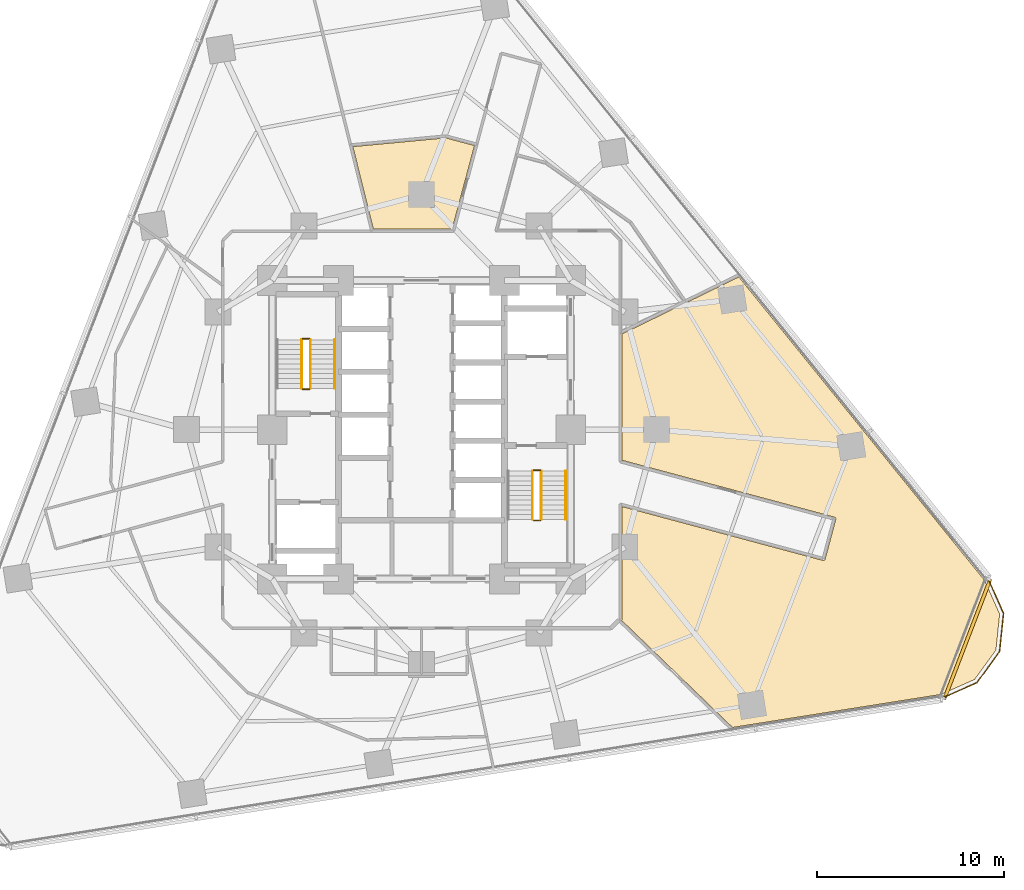
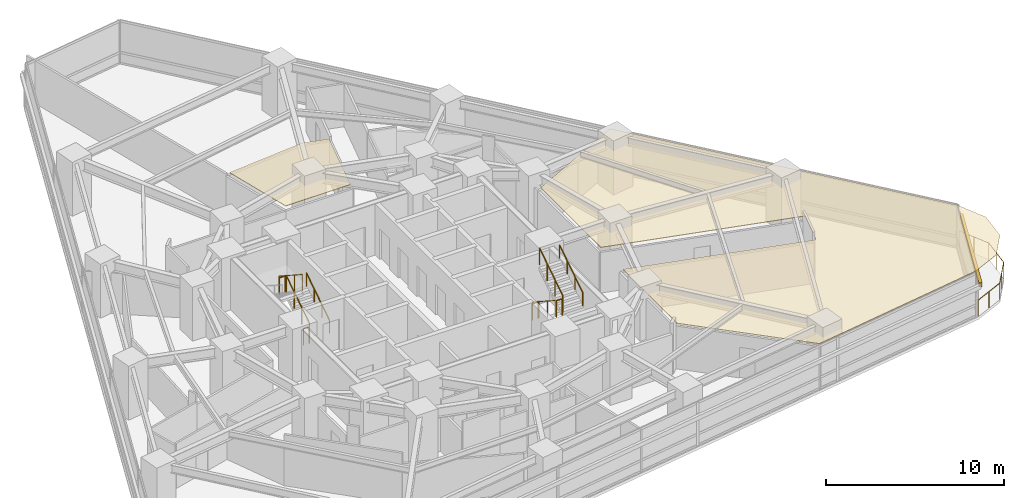
# One storey, part 13 of 14: 11 railings, 2 coverings, 1 shading device.
"""IFC4 building model written with IfcOpenShell, lengths in metres."""

import ifcopenshell
import ifcopenshell.guid

model = None  # the IFC model being written
_history = None  # IfcOwnerHistory: only IFC2X3 demands one
_inside = {}  # id of a spatial element -> (the spatial element, [elements in it])
_under = {}  # id of a project, library or spatial element -> (it, [spatial elements below it])
_declared = {}  # id of a project -> (the project, [libraries it declares])
_typed = {}  # id of a type object -> (the type object, [elements of that type])
_made_of = {}  # id of a material, layer set ... -> (it, [elements and type objects made of it])


def new_model(schema):
    """Start an empty IFC model of exactly this schema.

    Asked for "IFC4X3", IfcOpenShell would pick the latest addendum, in which some entities
    have other attributes; the version numbers below select the first issue.
    IFC2X3 requires an IfcOwnerHistory on every rooted entity: one is made here for all.
    """
    global model, _history
    if schema == "IFC4X3":
        model = ifcopenshell.file(schema_version=(4, 3, 0, 0))
    else:
        model = ifcopenshell.file(schema=schema)
    _inside.clear()
    _under.clear()
    _declared.clear()
    _typed.clear()
    _made_of.clear()
    _history = None
    if model.schema == "IFC2X3":
        org = make("IfcOrganization", Name="unknown")
        user = make(
            "IfcPersonAndOrganization",
            ThePerson=make("IfcPerson", FamilyName="unknown"),
            TheOrganization=org,
        )
        app = make(
            "IfcApplication",
            ApplicationDeveloper=org,
            Version="unknown",
            ApplicationFullName="unknown",
            ApplicationIdentifier="unknown",
        )
        _history = make(
            "IfcOwnerHistory",
            OwningUser=user,
            OwningApplication=app,
            ChangeAction="ADDED",
            CreationDate=0,
        )
    return model


def make(cls, **values):
    """One entity of the class cls with the attributes given. An attribute that is None is left unset."""
    return model.create_entity(
        cls, **{name: value for name, value in values.items() if value is not None}
    )


def rooted(cls, **values):
    """An entity with a GlobalId (a new one), such as an element, a storey or a relation."""
    return make(cls, GlobalId=ifcopenshell.guid.new(), OwnerHistory=_history, **values)


def si_unit(unit_type, name, prefix=None):
    """IfcSIUnit, for example si_unit("LENGTHUNIT", "METRE", prefix="MILLI")."""
    return make("IfcSIUnit", UnitType=unit_type, Prefix=prefix, Name=name)


def assignment(units):
    """IfcUnitAssignment: the units of a project."""
    return None if units is None else make("IfcUnitAssignment", Units=units)


def point(xyz):
    """IfcCartesianPoint."""
    return None if xyz is None else make("IfcCartesianPoint", Coordinates=xyz)


def direction(xyz):
    """IfcDirection."""
    return None if xyz is None else make("IfcDirection", DirectionRatios=xyz)


def frame(location, z_axis=None, x_axis=None):
    """IfcAxis2Placement3D, a coordinate frame: its origin and axes. An axis left out is left unset."""
    return make(
        "IfcAxis2Placement3D",
        Location=point(location),
        Axis=direction(z_axis),
        RefDirection=direction(x_axis),
    )


def frame_2d(location, x_axis=None):
    """IfcAxis2Placement2D, a coordinate frame in the plane: its origin and x axis."""
    return make(
        "IfcAxis2Placement2D", Location=point(location), RefDirection=direction(x_axis)
    )


def origin():
    """The frame at (0, 0, 0) with its axes left unset."""
    return frame((0.0, 0.0, 0.0))


def origin_2d():
    """The frame at (0, 0) in the plane with its x axis left unset."""
    return frame_2d((0.0, 0.0))


def place(relative_to, where):
    """IfcLocalPlacement: puts the frame where relative to a parent placement (None: the world)."""
    return make(
        "IfcLocalPlacement", PlacementRelTo=relative_to, RelativePlacement=where
    )


def context(
    kind, dimensions, precision=None, world=None, true_north=None, identifier=None
):
    """IfcGeometricRepresentationContext, for example the 3D "Model" context."""
    return make(
        "IfcGeometricRepresentationContext",
        ContextIdentifier=identifier,
        ContextType=kind,
        CoordinateSpaceDimension=dimensions,
        Precision=precision,
        WorldCoordinateSystem=world,
        TrueNorth=true_north,
    )


def subcontext(parent, identifier, kind, view, scale=None):
    """IfcGeometricRepresentationSubContext, for example "Body" below "Model"."""
    return make(
        "IfcGeometricRepresentationSubContext",
        ContextIdentifier=identifier,
        ContextType=kind,
        ParentContext=parent,
        TargetScale=scale,
        TargetView=view,
    )


def project(units=None, contexts=None):
    """IfcProject with its units and contexts."""
    return rooted(
        "IfcProject",
        Name="project",
        RepresentationContexts=contexts,
        UnitsInContext=assignment(units),
    )


def spatial(cls, under=None, at=None, **own):
    """A site, building, storey or space (cls), placed at a placement, below another one or the project."""
    s = rooted(cls, ObjectPlacement=at, **own)
    if under is not None:
        _under.setdefault(under.id(), (under, []))[1].append(s)
    return s


def polyline(points):
    """IfcPolyline through the points."""
    return make("IfcPolyline", Points=[point(p) for p in points])


def profile(cls, at=None, kind="AREA", **sizes):
    """A parametric profile (cls). Its sizes go by their IFC names, for example OverallWidth=200.0."""
    return make(cls, ProfileType=kind, Position=at, **sizes)


def rectangle(**sizes):
    """IfcRectangleProfileDef."""
    return profile("IfcRectangleProfileDef", **sizes)


def circle(**sizes):
    """IfcCircleProfileDef."""
    return profile("IfcCircleProfileDef", **sizes)


def outline(outer, holes=None, kind="AREA"):
    """IfcArbitraryClosedProfileDef: a profile drawn as a closed curve; with holes, ...WithVoids."""
    if holes is None:
        return make("IfcArbitraryClosedProfileDef", ProfileType=kind, OuterCurve=outer)
    return make(
        "IfcArbitraryProfileDefWithVoids",
        ProfileType=kind,
        OuterCurve=outer,
        InnerCurves=holes,
    )


def extrude(swept, where, along, depth):
    """IfcExtrudedAreaSolid: the profile swept, set in the frame where, extruded along a direction by depth."""
    return make(
        "IfcExtrudedAreaSolid",
        SweptArea=swept,
        Position=where,
        ExtrudedDirection=direction(along),
        Depth=depth,
    )


def shape(context_of_items, identifier, shape_type, items):
    """IfcShapeRepresentation: the items that make up one representation, for example the "Body"."""
    return make(
        "IfcShapeRepresentation",
        ContextOfItems=context_of_items,
        RepresentationIdentifier=identifier,
        RepresentationType=shape_type,
        Items=items,
    )


def material(Name=None, Category=None):
    """IfcMaterial."""
    return make("IfcMaterial", Name=Name, Category=Category)


def layer(
    of_material, thickness, ventilated=None, Name=None, Category=None, Priority=None
):
    """IfcMaterialLayer: one layer of a wall or slab, of a material (None: an air gap)."""
    return make(
        "IfcMaterialLayer",
        Material=of_material,
        LayerThickness=thickness,
        IsVentilated=ventilated,
        Name=Name,
        Category=Category,
        Priority=Priority,
    )


def layer_set(layers, Name=None):
    """IfcMaterialLayerSet."""
    return make("IfcMaterialLayerSet", MaterialLayers=layers, LayerSetName=Name)


def made_of(thing, what):
    """Note that an element or type object is made of a material, layer set ...; save() writes the relation."""
    if what is not None:
        _made_of.setdefault(what.id(), (what, []))[1].append(thing)
    return thing


def type_object(cls, material=None, **own):
    """A type object (cls), such as IfcWallType, which elements share."""
    return made_of(rooted(cls, **own), material)


def element(
    cls,
    number,
    at=None,
    inside=None,
    cuts=None,
    type_object=None,
    material=None,
    context=None,
    identifier="Body",
    shape_type=None,
    held_by="IfcProductDefinitionShape",
    body=None,
    shapes=None,
    **own,
):
    """One element of the class cls, such as IfcWall. Its Tag is "e" and its number.

    at: its placement. inside: the storey or other place that contains it. cuts: it is an
    opening in that element (IfcRelVoidsElement). A single representation is given by context,
    identifier, shape_type and body (its items); several are given by shapes. held_by: the class
    of the entity that holds the representations. save() writes the other relations.
    """
    e = rooted(cls, Tag="e%d" % number, ObjectPlacement=at, **own)
    if body is not None:
        shapes = [shape(context, identifier, shape_type, body)]
    if shapes is not None:
        e.Representation = make(held_by, Representations=shapes)
    if inside is not None:
        _inside.setdefault(inside.id(), (inside, []))[1].append(e)
    if cuts is not None:
        rooted(
            "IfcRelVoidsElement", RelatingBuildingElement=cuts, RelatedOpeningElement=e
        )
    if type_object is not None:
        _typed.setdefault(type_object.id(), (type_object, []))[1].append(e)
    return made_of(e, material)


def aggregate(whole, parts):
    """IfcRelAggregates: a whole, such as a stair, and the parts it consists of."""
    return rooted("IfcRelAggregates", RelatingObject=whole, RelatedObjects=parts)


def save(model, path):
    """Write the relations noted so far, then the file.

    IfcRelAggregates (storeys below a building ...), IfcRelContainedInSpatialStructure (elements
    in a storey), IfcRelDefinesByType, IfcRelAssociatesMaterial and IfcRelDeclares: one each for
    every whole, place, type object, material and project.
    """
    for whole, parts in _under.values():
        aggregate(whole, parts)
    for where, things in _inside.values():
        rooted(
            "IfcRelContainedInSpatialStructure",
            RelatedElements=things,
            RelatingStructure=where,
        )
    for kind, things in _typed.values():
        rooted("IfcRelDefinesByType", RelatedObjects=things, RelatingType=kind)
    for what, things in _made_of.values():
        rooted("IfcRelAssociatesMaterial", RelatedObjects=things, RelatingMaterial=what)
    for by, libraries in _declared.values():
        rooted("IfcRelDeclares", RelatingContext=by, RelatedDefinitions=libraries)
    model.write(path)


model = new_model("IFC4")

# Units and contexts
model_context = context("Model", 3, precision=1e-05, world=origin(), true_north=direction((0.0, 1.0)))
body_context = subcontext(model_context, "Body", "Model", "MODEL_VIEW")
ifc_project = project(units=[si_unit("LENGTHUNIT", "METRE"), si_unit("AREAUNIT", "SQUARE_METRE"), si_unit("VOLUMEUNIT", "CUBIC_METRE"), si_unit("PLANEANGLEUNIT", "RADIAN"), si_unit("MASSUNIT", "GRAM", prefix="KILO")], contexts=[model_context])

# Site, building, storey
site_placement = place(None, origin())
site = spatial("IfcSite", under=ifc_project, at=site_placement, CompositionType="ELEMENT")
building_placement = place(site_placement, origin())
building = spatial("IfcBuilding", under=site, at=building_placement, Name="Terralouvre Media Tower", CompositionType="ELEMENT")
storey_placement = place(building_placement, frame((0.0, 0.0, 70.39990234375)))
storey = spatial("IfcBuildingStorey", under=building, at=storey_placement, Name="L17", CompositionType="ELEMENT", Elevation=70.39990234375)

# Coverings
ifc_material_1 = material(Name="Perforated aluminium acoustic ceiling baffle", Category="aluminium")
ifc_layer_1 = layer(ifc_material_1, 0.0400390625, Name="Perforated Acoustic Metal Tile Ceiling CL-AC1")
ifc_layer_set_1 = layer_set([ifc_layer_1], Name="Perforated aluminium acoustic ceiling baffle")
covering_type = type_object("IfcCoveringType", Name="Perforated Acoustic Metal Tile Ceiling CL-AC1", PredefinedType="CEILING", material=ifc_layer_set_1)
covering_1_placement = place(storey_placement, frame((0.0, 0.0, 2.97998046875), z_axis=(0.0, 0.0, 1.0), x_axis=(0.987688340595, 0.15643446504, 0.0)))
element("IfcCovering", 1, at=covering_1_placement, inside=storey, type_object=covering_type, Name="L17 Podcast Host Green Lounge 1 Acoustic Ceiling", PredefinedType="CEILING", context=body_context, shape_type="SweptSolid", body=[
    extrude(outline(polyline([(13.974609375, -18.378662109375), (25.29052734375, -18.37890625), (27.196533203125, -17.8681640625), (28.56982421875, -16.494384765625), (29.072021484375, -14.617919921875), (28.561767578125, -12.71337890625), (18.0888671875, 5.42626953125), (15.073974609375, 4.50341796875), (11.42041015625, 3.38671875), (10.361328125, -3.2998046875), (21.134521484375, -8.09619140625), (21.143310546875, -8.1005859375), (21.151611328125, -8.10595703125), (21.159423828125, -8.112060546875), (21.16650390625, -8.118896484375), (21.1728515625, -8.126220703125), (21.178466796875, -8.13427734375), (21.183349609375, -8.142822265625), (21.187255859375, -8.15185546875), (21.1904296875, -8.1611328125), (21.1923828125, -8.170654296875), (21.193603515625, -8.180419921875), (21.19384765625, -8.190185546875), (21.193115234375, -8.199951171875), (21.19140625, -8.209716796875), (21.188720703125, -8.21923828125), (21.185302734375, -8.228271484375), (20.289794921875, -10.238037109375), (20.285400390625, -10.24658203125), (20.280029296875, -10.255126953125), (20.274169921875, -10.2626953125), (20.267333984375, -10.269775390625), (20.259765625, -10.2763671875), (20.251708984375, -10.281982421875), (20.2431640625, -10.28662109375), (20.234375, -10.29052734375), (20.22509765625, -10.293701171875), (20.21533203125, -10.2958984375), (20.20556640625, -10.297119140625), (20.19580078125, -10.297119140625), (20.18603515625, -10.29638671875), (20.176513671875, -10.294921875), (20.1669921875, -10.292236328125), (20.15771484375, -10.28857421875), (9.972900390625, -5.753173828125), (9.02978515625, -11.706787109375), (9.02783203125, -11.71630859375), (9.02490234375, -11.7255859375), (9.02099609375, -11.734619140625), (9.016357421875, -11.743408203125), (9.0107421875, -11.75146484375), (9.00439453125, -11.759033203125), (8.99755859375, -11.765869140625), (8.994140625, -11.7685546875), (13.974609375, -18.378662109375)])), origin(), (0.0, 0.0, 1.0), 0.0400390625),
])
covering_2_placement = place(storey_placement, frame((0.0, 0.0, 2.97998046875), z_axis=(0.0, 0.0, 1.0), x_axis=(0.987688340595, 0.15643446504, 0.0)))
element("IfcCovering", 2, at=covering_2_placement, inside=storey, type_object=covering_type, Name="L17 Editorial Collaborative Open Office 3 Acoustic Ceiling", PredefinedType="CEILING", context=body_context, shape_type="SweptSolid", body=[
    extrude(outline(polyline([(-1.261474609375, 15.565185546875), (-0.863525390625, 11.020751953125), (3.2998046875, 10.361328125), (5.188720703125, 14.603271484375), (3.73095703125, 15.248779296875), (-1.261474609375, 15.565185546875)])), origin(), (0.0, 0.0, 1.0), 0.0400390625),
])

# Railings
ifc_material_2 = material(Name="Stainless steel 316 handrail and balustrade", Category="steel")
ifc_layer_2 = layer(ifc_material_2, 0.06005859375, Name="Roof Edge Safety Guardrail GR-ROOF1")
ifc_layer_set_2 = layer_set([ifc_layer_2], Name="Stainless steel 316 handrail and balustrade")
railing_type_1 = type_object("IfcRailingType", Name="Roof Edge Safety Guardrail GR-ROOF1", PredefinedType="GUARDRAIL", material=ifc_layer_set_2)
railing_1_placement = place(storey_placement, frame((27.904296875, -14.401611328125, 0.0)))
element("IfcRailing", 3, at=railing_1_placement, inside=storey, type_object=railing_type_1, Name="L17 Wind-Corner Perimeter Safety Guardrail C1", PredefinedType="GUARDRAIL", context=body_context, shape_type="SweptSolid", body=[
    extrude(circle(Radius=0.02099609375, at=origin_2d()), frame((0.0, 0.0, 1.12890625), z_axis=(0.91366973946, 0.40645738669, 0.0), x_axis=(-0.40645738669, 0.91366973946, 0.0)), (0.0, 0.0, 1.0), 2.0595703125),
    extrude(circle(Radius=0.02099609375, at=origin_2d()), frame((1.8818359375, 0.837158203125, 1.12890625), z_axis=(0.587868563624, 0.808956458595, 0.0), x_axis=(-0.808956458595, 0.587868563624, 0.0)), (0.0, 0.0, 1.0), 2.0595703125),
    extrude(circle(Radius=0.02099609375, at=origin_2d()), frame((3.092529296875, 2.503173828125, 1.12890625), z_axis=(0.104456420886, 0.99452946469, 0.0), x_axis=(-0.99452946469, 0.104456420886, 0.0)), (0.0, 0.0, 1.0), 2.05908203125),
    extrude(circle(Radius=0.02099609375, at=origin_2d()), frame((3.3076171875, 4.551025390625, 1.12890625), z_axis=(-0.406996026336, 0.913429928646, 0.0), x_axis=(-0.913429928646, -0.406996026336, 0.0)), (0.0, 0.0, 1.0), 2.059814453125),
    extrude(circle(Radius=0.01904296875, at=origin_2d()), origin(), (0.0, 0.0, 1.0), 1.10791015625),
    extrude(circle(Radius=0.01904296875, at=origin_2d()), frame((0.94091796875, 0.41845703125, 0.0)), (0.0, 0.0, 1.0), 1.10791015625),
    extrude(circle(Radius=0.01904296875, at=origin_2d()), frame((1.8818359375, 0.837158203125, 0.0)), (0.0, 0.0, 1.0), 1.10791015625),
    extrude(circle(Radius=0.01904296875, at=origin_2d()), frame((2.4873046875, 1.670166015625, 0.0)), (0.0, 0.0, 1.0), 1.10791015625),
    extrude(circle(Radius=0.01904296875, at=origin_2d()), frame((3.092529296875, 2.503173828125, 0.0)), (0.0, 0.0, 1.0), 1.10791015625),
    extrude(circle(Radius=0.01904296875, at=origin_2d()), frame((3.2001953125, 3.527099609375, 0.0)), (0.0, 0.0, 1.0), 1.10791015625),
    extrude(circle(Radius=0.01904296875, at=origin_2d()), frame((3.3076171875, 4.551025390625, 0.0)), (0.0, 0.0, 1.0), 1.10791015625),
    extrude(circle(Radius=0.01904296875, at=origin_2d()), frame((2.888427734375, 5.49169921875, 0.0)), (0.0, 0.0, 1.0), 1.10791015625),
    extrude(circle(Radius=0.01904296875, at=origin_2d()), frame((2.46923828125, 6.4326171875, 0.0)), (0.0, 0.0, 1.0), 1.10791015625),
])
ifc_material_3 = material(Name="Stainless steel 316 handrail and balustrade", Category="steel")
ifc_layer_3 = layer(ifc_material_3, 0.050048828125, Name="Stair Flight Wall Handrail HR-INT1")
ifc_layer_set_3 = layer_set([ifc_layer_3], Name="Stainless steel 316 handrail and balustrade")
railing_type_2 = type_object("IfcRailingType", Name="Stair Flight Wall Handrail HR-INT1", PredefinedType="HANDRAIL", material=ifc_layer_set_3)
for number, where, name in (
    (4, (-4.64990234375, 2.219970703125, 0.168212890625), "L17 ST-01 stair handrail 1"),
    (5, (7.72998046875, -4.820068359375, 2.018310546875), "L17 ST-02 stair handrail 2"),
):
    element("IfcRailing", number, at=place(storey_placement, frame(where)), inside=storey, type_object=railing_type_2, Name=name, PredefinedType="HANDRAIL", context=body_context, shape_type="SweptSolid", body=[
        extrude(circle(Radius=0.02392578125, at=origin_2d()), frame((0.0, 0.0, 0.8759765625), z_axis=(0.0, 0.839648411786, 0.543130320075), x_axis=(-1.0, 0.0, 0.0)), (0.0, 0.0, 1.0), 3.0966796875),
        extrude(circle(Radius=0.02099609375, at=origin_2d()), origin(), (0.0, 0.0, 1.0), 0.851806640625),
        extrude(circle(Radius=0.02099609375, at=origin_2d()), frame((0.0, 0.86669921875, 0.560546875)), (0.0, 0.0, 1.0), 0.851806640625),
        extrude(circle(Radius=0.02099609375, at=origin_2d()), frame((0.0, 1.7333984375, 1.121337890625)), (0.0, 0.0, 1.0), 0.851806640625),
        extrude(circle(Radius=0.02099609375, at=origin_2d()), frame((0.0, 2.60009765625, 1.681884765625)), (0.0, 0.0, 1.0), 0.851806640625),
    ])
ifc_material_4 = material(Name="Stainless steel 316 handrail and balustrade", Category="steel")
ifc_layer_4 = layer(ifc_material_4, 0.050048828125, Name="Stairwell Safety Guardrail GR-INT1")
ifc_layer_set_4 = layer_set([ifc_layer_4], Name="Stainless steel 316 handrail and balustrade")
railing_type_3 = type_object("IfcRailingType", Name="Stairwell Safety Guardrail GR-INT1", PredefinedType="GUARDRAIL", material=ifc_layer_set_4)
railing_2_placement = place(storey_placement, frame((-5.949951171875, 2.219970703125, 0.168212890625)))
element("IfcRailing", 6, at=railing_2_placement, inside=storey, type_object=railing_type_3, Name="L17 ST-01 stair guard 1", PredefinedType="GUARDRAIL", context=body_context, shape_type="SweptSolid", body=[
    extrude(circle(Radius=0.02392578125, at=origin_2d()), frame((0.0, 0.0, 1.1259765625), z_axis=(0.0, 0.839648411786, 0.543130320075), x_axis=(-1.0, 0.0, 0.0)), (0.0, 0.0, 1.0), 3.0966796875),
    extrude(circle(Radius=0.02099609375, at=origin_2d()), origin(), (0.0, 0.0, 1.0), 1.101806640625),
    extrude(circle(Radius=0.02099609375, at=origin_2d()), frame((0.0, 0.86669921875, 0.560546875)), (0.0, 0.0, 1.0), 1.101806640625),
    extrude(circle(Radius=0.02099609375, at=origin_2d()), frame((0.0, 1.7333984375, 1.121337890625)), (0.0, 0.0, 1.0), 1.101806640625),
    extrude(circle(Radius=0.02099609375, at=origin_2d()), frame((0.0, 2.60009765625, 1.681884765625)), (0.0, 0.0, 1.0), 1.101806640625),
])
railing_3_placement = place(storey_placement, frame((-6.0, 4.8701171875, 1.85009765625)))
element("IfcRailing", 7, at=railing_3_placement, inside=storey, type_object=railing_type_3, Name="L17 ST-01 stair guard 2", PredefinedType="GUARDRAIL", context=body_context, shape_type="SweptSolid", body=[
    extrude(circle(Radius=0.02392578125, at=origin_2d()), frame((0.0, 0.0, 1.1259765625), z_axis=(-1.0, 0.0, 0.0), x_axis=(0.0, -1.0, 0.0)), (0.0, 0.0, 1.0), 0.3798828125),
    extrude(circle(Radius=0.02099609375, at=origin_2d()), origin(), (0.0, 0.0, 1.0), 1.101806640625),
    extrude(circle(Radius=0.02099609375, at=origin_2d()), frame((-0.3798828125, 0.0, 0.0)), (0.0, 0.0, 1.0), 1.101806640625),
])
railing_4_placement = place(storey_placement, frame((-6.429931640625, 4.820068359375, 2.018310546875)))
element("IfcRailing", 8, at=railing_4_placement, inside=storey, type_object=railing_type_3, Name="L17 ST-01 stair guard 3", PredefinedType="GUARDRAIL", context=body_context, shape_type="SweptSolid", body=[
    extrude(circle(Radius=0.02392578125, at=origin_2d()), frame((0.0, 0.0, 1.1259765625), z_axis=(0.0, -0.839648411786, 0.543130320075), x_axis=(1.0, 0.0, 0.0)), (0.0, 0.0, 1.0), 3.0966796875),
    extrude(circle(Radius=0.02099609375, at=origin_2d()), origin(), (0.0, 0.0, 1.0), 1.101806640625),
    extrude(circle(Radius=0.02099609375, at=origin_2d()), frame((0.0, -0.86669921875, 0.560546875)), (0.0, 0.0, 1.0), 1.101806640625),
    extrude(circle(Radius=0.02099609375, at=origin_2d()), frame((0.0, -1.7333984375, 1.121337890625)), (0.0, 0.0, 1.0), 1.101806640625),
    extrude(circle(Radius=0.02099609375, at=origin_2d()), frame((0.0, -2.60009765625, 1.681884765625)), (0.0, 0.0, 1.0), 1.101806640625),
])
railing_5_placement = place(storey_placement, frame((-6.0, 2.169921875, 0.0)))
element("IfcRailing", 9, at=railing_5_placement, inside=storey, type_object=railing_type_3, Name="L17 ST-01 stair guard 4", PredefinedType="GUARDRAIL", context=body_context, shape_type="SweptSolid", body=[
    extrude(circle(Radius=0.02392578125, at=origin_2d()), frame((0.0, 0.0, 1.1259765625), z_axis=(-1.0, 0.0, 0.0), x_axis=(0.0, -1.0, 0.0)), (0.0, 0.0, 1.0), 0.3798828125),
    extrude(circle(Radius=0.02099609375, at=origin_2d()), origin(), (0.0, 0.0, 1.0), 1.101806640625),
    extrude(circle(Radius=0.02099609375, at=origin_2d()), frame((-0.3798828125, 0.0, 0.0)), (0.0, 0.0, 1.0), 1.101806640625),
])
railing_6_placement = place(storey_placement, frame((5.949951171875, -2.219970703125, 0.168212890625)))
element("IfcRailing", 10, at=railing_6_placement, inside=storey, type_object=railing_type_3, Name="L17 ST-02 stair guard 1", PredefinedType="GUARDRAIL", context=body_context, shape_type="SweptSolid", body=[
    extrude(circle(Radius=0.02392578125, at=origin_2d()), frame((0.0, 0.0, 1.1259765625), z_axis=(0.0, -0.839648411786, 0.543130320075), x_axis=(1.0, 0.0, 0.0)), (0.0, 0.0, 1.0), 3.0966796875),
    extrude(circle(Radius=0.02099609375, at=origin_2d()), origin(), (0.0, 0.0, 1.0), 1.101806640625),
    extrude(circle(Radius=0.02099609375, at=origin_2d()), frame((0.0, -0.86669921875, 0.560546875)), (0.0, 0.0, 1.0), 1.101806640625),
    extrude(circle(Radius=0.02099609375, at=origin_2d()), frame((0.0, -1.7333984375, 1.121337890625)), (0.0, 0.0, 1.0), 1.101806640625),
    extrude(circle(Radius=0.02099609375, at=origin_2d()), frame((0.0, -2.60009765625, 1.681884765625)), (0.0, 0.0, 1.0), 1.101806640625),
])
railing_7_placement = place(storey_placement, frame((6.0, -4.8701171875, 1.85009765625)))
element("IfcRailing", 11, at=railing_7_placement, inside=storey, type_object=railing_type_3, Name="L17 ST-02 stair guard 2", PredefinedType="GUARDRAIL", context=body_context, shape_type="SweptSolid", body=[
    extrude(circle(Radius=0.02392578125, at=origin_2d()), frame((0.0, 0.0, 1.1259765625), z_axis=(1.0, 0.0, 0.0), x_axis=(0.0, 1.0, 0.0)), (0.0, 0.0, 1.0), 0.3798828125),
    extrude(circle(Radius=0.02099609375, at=origin_2d()), origin(), (0.0, 0.0, 1.0), 1.101806640625),
    extrude(circle(Radius=0.02099609375, at=origin_2d()), frame((0.3798828125, 0.0, 0.0)), (0.0, 0.0, 1.0), 1.101806640625),
])
railing_8_placement = place(storey_placement, frame((6.429931640625, -4.820068359375, 2.018310546875)))
element("IfcRailing", 12, at=railing_8_placement, inside=storey, type_object=railing_type_3, Name="L17 ST-02 stair guard 3", PredefinedType="GUARDRAIL", context=body_context, shape_type="SweptSolid", body=[
    extrude(circle(Radius=0.02392578125, at=origin_2d()), frame((0.0, 0.0, 1.1259765625), z_axis=(0.0, 0.839648411786, 0.543130320075), x_axis=(-1.0, 0.0, 0.0)), (0.0, 0.0, 1.0), 3.0966796875),
    extrude(circle(Radius=0.02099609375, at=origin_2d()), origin(), (0.0, 0.0, 1.0), 1.101806640625),
    extrude(circle(Radius=0.02099609375, at=origin_2d()), frame((0.0, 0.86669921875, 0.560546875)), (0.0, 0.0, 1.0), 1.101806640625),
    extrude(circle(Radius=0.02099609375, at=origin_2d()), frame((0.0, 1.7333984375, 1.121337890625)), (0.0, 0.0, 1.0), 1.101806640625),
    extrude(circle(Radius=0.02099609375, at=origin_2d()), frame((0.0, 2.60009765625, 1.681884765625)), (0.0, 0.0, 1.0), 1.101806640625),
])
railing_9_placement = place(storey_placement, frame((6.0, -2.169921875, 0.0)))
element("IfcRailing", 13, at=railing_9_placement, inside=storey, type_object=railing_type_3, Name="L17 ST-02 stair guard 4", PredefinedType="GUARDRAIL", context=body_context, shape_type="SweptSolid", body=[
    extrude(circle(Radius=0.02392578125, at=origin_2d()), frame((0.0, 0.0, 1.1259765625), z_axis=(1.0, 0.0, 0.0), x_axis=(0.0, 1.0, 0.0)), (0.0, 0.0, 1.0), 0.3798828125),
    extrude(circle(Radius=0.02099609375, at=origin_2d()), origin(), (0.0, 0.0, 1.0), 1.101806640625),
    extrude(circle(Radius=0.02099609375, at=origin_2d()), frame((0.3798828125, 0.0, 0.0)), (0.0, 0.0, 1.0), 1.101806640625),
])

# Shading device
ifc_material_5 = material(Name="Extruded terracotta baguette sunshade louvres", Category="masonry")
shading_device_type = type_object("IfcShadingDeviceType", Name="Terracotta Baguette Sunshade Louvre Screen TB-LV1", PredefinedType="USERDEFINED", material=ifc_material_5)
shading_device_placement = place(storey_placement, frame((29.264892578125, -11.23388671875, 2.02392578125), z_axis=(0.0, 0.0, 1.0), x_axis=(0.358367472863, 0.933580609478, 0.0)))
element("IfcShadingDevice", 14, at=shading_device_placement, inside=storey, type_object=shading_device_type, Name="CW-L17-C1 Terracotta Baguette Sunshade Louvre", ObjectType="BAGUETTE", PredefinedType="USERDEFINED", context=body_context, shape_type="SweptSolid", body=[
    extrude(rectangle(XDim=6.8935546875, YDim=0.179931640625, at=origin_2d()), origin(), (0.0, 0.0, 1.0), 0.280029296875),
])

save(model, "model.ifc")
